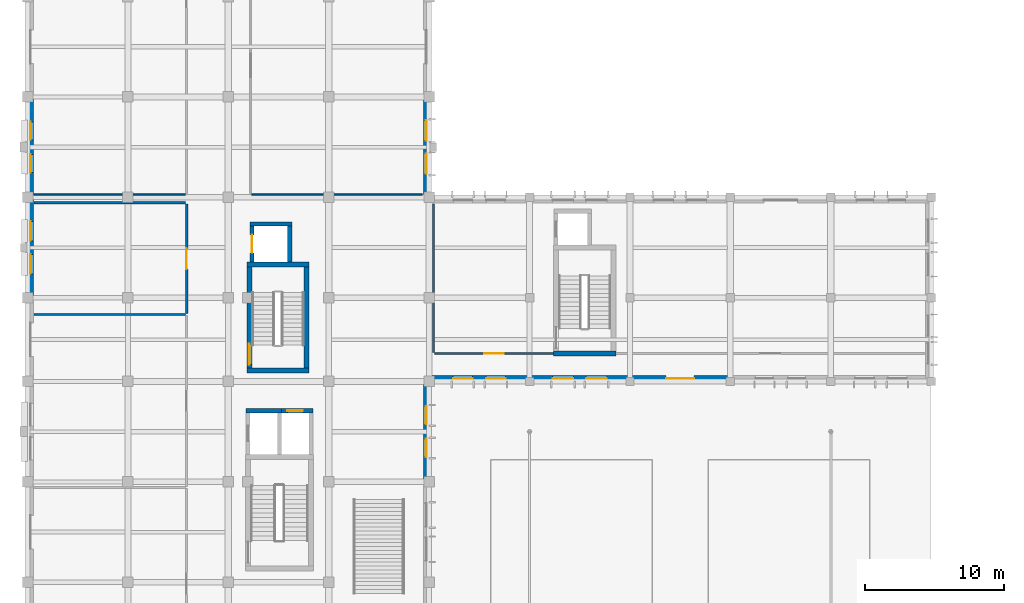
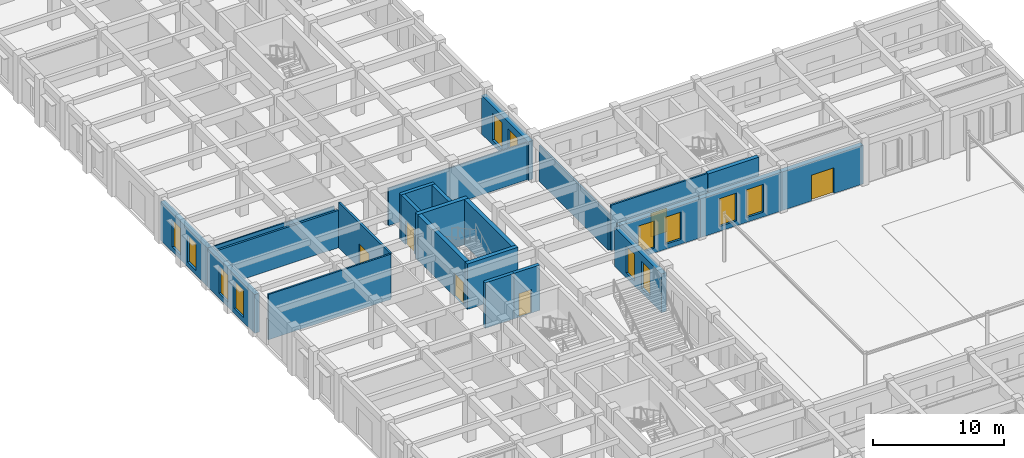
# One storey, part 24 of 43: 24 walls, 12 windows, 6 doors, 18 openings.
"""IFC4 building model written with IfcOpenShell, lengths in metres."""

from ifc_helpers import new_model, si_unit, direction, frame, frame_2d, origin, place, context, subcontext, project, spatial, rectangle, extrude, material, layer, layer_set, type_object, element, fill, save


model = new_model("IFC4")

# Units and contexts
model_context = context("Model", 3, precision=1e-05, world=origin(), true_north=direction((0.0, 1.0)))
body_context = subcontext(model_context, "Body", "Model", "MODEL_VIEW")
ifc_project = project(units=[si_unit("LENGTHUNIT", "METRE"), si_unit("AREAUNIT", "SQUARE_METRE"), si_unit("VOLUMEUNIT", "CUBIC_METRE"), si_unit("PLANEANGLEUNIT", "RADIAN"), si_unit("MASSUNIT", "GRAM", prefix="KILO")], contexts=[model_context])

# Site, building, storey
site_placement = place(None, origin())
site = spatial("IfcSite", under=ifc_project, at=site_placement, CompositionType="ELEMENT")
building_placement = place(site_placement, origin())
building = spatial("IfcBuilding", under=site, at=building_placement, Name="Alvorim Cloister Faculty of Sciences", CompositionType="ELEMENT")
storey_placement = place(building_placement, origin())
storey = spatial("IfcBuildingStorey", under=building, at=storey_placement, Name="L00", CompositionType="ELEMENT", Elevation=0.0)

# Wall, openings, windows
ifc_material_1 = material(Name="Maua Grey Granite Stone", Category="masonry")
ifc_layer_1 = layer(ifc_material_1, 0.419921875)
ifc_layer_set_1 = layer_set([ifc_layer_1], Name="Maua Grey Granite Stone")
wall_type_1 = type_object("IfcWallType", Name="WL-EXT-GRN-420", PredefinedType="SOLIDWALL", material=ifc_layer_set_1)
wall_1_placement = place(storey_placement, frame((0.2099609375, 49.199951171875, 0.0), z_axis=(0.0, 0.0, 1.0), x_axis=(0.0, 1.0, 0.0)))
wall_1 = element("IfcWall", 1, at=wall_1_placement, inside=storey, type_object=wall_type_1, Name="L00 Exterior Wall WL-0035", PredefinedType="SOLIDWALL", context=body_context, shape_type="SweptSolid", body=[
    extrude(rectangle(XDim=7.199951171875, YDim=0.419921875, at=frame_2d((3.60009765625, 0.0))), origin(), (0.0, 0.0, 1.0), 3.6201171875),
])
opening_1_placement = place(wall_1_placement, frame((1.716796875, 0.0, 0.449951171875)))
opening_1 = element("IfcOpeningElement", 2, at=opening_1_placement, cuts=wall_1, Name="Opening W-13", PredefinedType="OPENING", context=body_context, shape_type="SweptSolid", body=[
    extrude(rectangle(XDim=1.39990234375, YDim=2.550048828125, at=frame_2d((0.699951171875, 1.27490234375))), frame((0.0, 0.221923828125, 0.0), z_axis=(0.0, -1.0, 0.0), x_axis=(1.0, 0.0, 0.0)), (0.0, 0.0, 1.0), 0.44384765625),
])
opening_2_placement = place(wall_1_placement, frame((4.083251953125, 0.0, 0.449951171875)))
opening_2 = element("IfcOpeningElement", 3, at=opening_2_placement, cuts=wall_1, Name="Opening W-13", PredefinedType="OPENING", context=body_context, shape_type="SweptSolid", body=[
    extrude(rectangle(XDim=1.39990234375, YDim=2.550048828125, at=frame_2d((0.699951171875, 1.27490234375))), frame((0.0, 0.221923828125, 0.0), z_axis=(0.0, -1.0, 0.0), x_axis=(1.0, 0.0, 0.0)), (0.0, 0.0, 1.0), 0.44384765625),
])
ifc_material_2 = material(Name="Double Low-E Laminated Glass", Category="glass")
window_type_1 = type_object("IfcWindowType", Name="WN-LIB-1400x2550", PartitioningType="SINGLE_PANEL", PredefinedType="WINDOW", material=ifc_material_2)
window_1_placement = place(opening_1_placement, origin())
window_1 = element("IfcWindow", 4, at=window_1_placement, inside=storey, type_object=window_type_1, Name="L00 Gothic Lancet Window WN-0024", OverallHeight=2.550048828125, OverallWidth=1.39990234375, PartitioningType="SINGLE_PANEL", PredefinedType="WINDOW", context=body_context, shape_type="SweptSolid", body=[
    extrude(rectangle(XDim=1.39990234375, YDim=2.550048828125, at=frame_2d((0.699951171875, 1.27490234375))), frame((0.0, 0.030029296875, 0.0), z_axis=(0.0, -1.0, 0.0), x_axis=(1.0, 0.0, 0.0)), (0.0, 0.0, 1.0), 0.06005859375),
])
fill(opening_1, window_1)
window_2_placement = place(opening_2_placement, origin())
window_2 = element("IfcWindow", 5, at=window_2_placement, inside=storey, type_object=window_type_1, Name="L00 Gothic Lancet Window WN-0025", OverallHeight=2.550048828125, OverallWidth=1.39990234375, PartitioningType="SINGLE_PANEL", PredefinedType="WINDOW", context=body_context, shape_type="SweptSolid", body=[
    extrude(rectangle(XDim=1.39990234375, YDim=2.550048828125, at=frame_2d((0.699951171875, 1.27490234375))), frame((0.0, 0.030029296875, 0.0), z_axis=(0.0, -1.0, 0.0), x_axis=(1.0, 0.0, 0.0)), (0.0, 0.0, 1.0), 0.06005859375),
])
fill(opening_2, window_2)

wall_2_placement = place(storey_placement, frame((0.2099609375, 56.39990234375, 0.0), z_axis=(0.0, 0.0, 1.0), x_axis=(0.0, 1.0, 0.0)))
wall_2 = element("IfcWall", 6, at=wall_2_placement, inside=storey, type_object=wall_type_1, Name="L00 Exterior Wall WL-0036", PredefinedType="SOLIDWALL", context=body_context, shape_type="SweptSolid", body=[
    extrude(rectangle(XDim=7.2001953125, YDim=0.419921875, at=frame_2d((3.60009765625, 0.0))), origin(), (0.0, 0.0, 1.0), 3.6201171875),
])
opening_3_placement = place(wall_2_placement, frame((1.783203125, 0.0, 0.449951171875)))
opening_3 = element("IfcOpeningElement", 7, at=opening_3_placement, cuts=wall_2, Name="Opening W-14", PredefinedType="OPENING", context=body_context, shape_type="SweptSolid", body=[
    extrude(rectangle(XDim=1.300048828125, YDim=2.5, at=frame_2d((0.64990234375, 1.25))), frame((0.0, 0.221923828125, 0.0), z_axis=(0.0, -1.0, 0.0), x_axis=(1.0, 0.0, 0.0)), (0.0, 0.0, 1.0), 0.44384765625),
])
opening_4_placement = place(wall_2_placement, frame((4.11669921875, 0.0, 0.449951171875)))
opening_4 = element("IfcOpeningElement", 8, at=opening_4_placement, cuts=wall_2, Name="Opening W-14", PredefinedType="OPENING", context=body_context, shape_type="SweptSolid", body=[
    extrude(rectangle(XDim=1.300048828125, YDim=2.5, at=frame_2d((0.64990234375, 1.25))), frame((0.0, 0.221923828125, 0.0), z_axis=(0.0, -1.0, 0.0), x_axis=(1.0, 0.0, 0.0)), (0.0, 0.0, 1.0), 0.44384765625),
])
window_type_2 = type_object("IfcWindowType", Name="WN-LIB-1300x2500", PartitioningType="SINGLE_PANEL", PredefinedType="WINDOW", material=ifc_material_2)
window_3_placement = place(opening_3_placement, origin())
window_3 = element("IfcWindow", 9, at=window_3_placement, inside=storey, type_object=window_type_2, Name="L00 Gothic Lancet Window WN-0026", OverallHeight=2.5, OverallWidth=1.300048828125, PartitioningType="SINGLE_PANEL", PredefinedType="WINDOW", context=body_context, shape_type="SweptSolid", body=[
    extrude(rectangle(XDim=1.300048828125, YDim=2.5, at=frame_2d((0.64990234375, 1.25))), frame((0.0, 0.030029296875, 0.0), z_axis=(0.0, -1.0, 0.0), x_axis=(1.0, 0.0, 0.0)), (0.0, 0.0, 1.0), 0.06005859375),
])
fill(opening_3, window_3)
window_4_placement = place(opening_4_placement, origin())
window_4 = element("IfcWindow", 10, at=window_4_placement, inside=storey, type_object=window_type_2, Name="L00 Gothic Lancet Window WN-0027", OverallHeight=2.5, OverallWidth=1.300048828125, PartitioningType="SINGLE_PANEL", PredefinedType="WINDOW", context=body_context, shape_type="SweptSolid", body=[
    extrude(rectangle(XDim=1.300048828125, YDim=2.5, at=frame_2d((0.64990234375, 1.25))), frame((0.0, 0.030029296875, 0.0), z_axis=(0.0, -1.0, 0.0), x_axis=(1.0, 0.0, 0.0)), (0.0, 0.0, 1.0), 0.06005859375),
])
fill(opening_4, window_4)

wall_3_placement = place(storey_placement, frame((28.590087890625, 56.39990234375, 0.0), z_axis=(0.0, 0.0, 1.0), x_axis=(0.0, 1.0, 0.0)))
wall_3 = element("IfcWall", 11, at=wall_3_placement, inside=storey, type_object=wall_type_1, Name="L00 Exterior Wall WL-0055", PredefinedType="SOLIDWALL", context=body_context, shape_type="SweptSolid", body=[
    extrude(rectangle(XDim=7.2001953125, YDim=0.419921875, at=frame_2d((3.60009765625, 0.0))), origin(), (0.0, 0.0, 1.0), 3.6201171875),
])
opening_5_placement = place(wall_3_placement, frame((1.683349609375, 0.0, 0.449951171875)))
opening_5 = element("IfcOpeningElement", 12, at=opening_5_placement, cuts=wall_3, Name="Opening W-17", PredefinedType="OPENING", context=body_context, shape_type="SweptSolid", body=[
    extrude(rectangle(XDim=1.449951171875, YDim=2.5, at=frame_2d((0.72509765625, 1.25))), frame((0.0, 0.221923828125, 0.0), z_axis=(0.0, -1.0, 0.0), x_axis=(1.0, 0.0, 0.0)), (0.0, 0.0, 1.0), 0.44384765625),
])
opening_6_placement = place(wall_3_placement, frame((4.066650390625, 0.0, 0.449951171875)))
opening_6 = element("IfcOpeningElement", 13, at=opening_6_placement, cuts=wall_3, Name="Opening W-17", PredefinedType="OPENING", context=body_context, shape_type="SweptSolid", body=[
    extrude(rectangle(XDim=1.449951171875, YDim=2.5, at=frame_2d((0.72509765625, 1.25))), frame((0.0, 0.221923828125, 0.0), z_axis=(0.0, -1.0, 0.0), x_axis=(1.0, 0.0, 0.0)), (0.0, 0.0, 1.0), 0.44384765625),
])
window_type_3 = type_object("IfcWindowType", Name="WN-LAB-1450x2500", PartitioningType="SINGLE_PANEL", PredefinedType="WINDOW", material=ifc_material_2)
window_5_placement = place(opening_5_placement, origin())
window_5 = element("IfcWindow", 14, at=window_5_placement, inside=storey, type_object=window_type_3, Name="L00 Gothic Lancet Window WN-0055", OverallHeight=2.5, OverallWidth=1.449951171875, PartitioningType="SINGLE_PANEL", PredefinedType="WINDOW", context=body_context, shape_type="SweptSolid", body=[
    extrude(rectangle(XDim=1.449951171875, YDim=2.5, at=frame_2d((0.72509765625, 1.25))), frame((0.0, 0.030029296875, 0.0), z_axis=(0.0, -1.0, 0.0), x_axis=(1.0, 0.0, 0.0)), (0.0, 0.0, 1.0), 0.06005859375),
])
fill(opening_5, window_5)
window_6_placement = place(opening_6_placement, origin())
window_6 = element("IfcWindow", 15, at=window_6_placement, inside=storey, type_object=window_type_3, Name="L00 Gothic Lancet Window WN-0056", OverallHeight=2.5, OverallWidth=1.449951171875, PartitioningType="SINGLE_PANEL", PredefinedType="WINDOW", context=body_context, shape_type="SweptSolid", body=[
    extrude(rectangle(XDim=1.449951171875, YDim=2.5, at=frame_2d((0.72509765625, 1.25))), frame((0.0, 0.030029296875, 0.0), z_axis=(0.0, -1.0, 0.0), x_axis=(1.0, 0.0, 0.0)), (0.0, 0.0, 1.0), 0.06005859375),
])
fill(opening_6, window_6)

# Wall, opening, door
wall_4_placement = place(storey_placement, frame((43.199951171875, 43.409912109375, 0.0), z_axis=(0.0, 0.0, 1.0), x_axis=(1.0, 0.0, 0.0)))
wall_4 = element("IfcWall", 16, at=wall_4_placement, inside=storey, type_object=wall_type_1, Name="L00 Exterior Wall WL-0065", PredefinedType="SOLIDWALL", context=body_context, shape_type="SweptSolid", body=[
    extrude(rectangle(XDim=7.199951171875, YDim=0.419921875, at=frame_2d((3.60009765625, 0.0))), origin(), (0.0, 0.0, 1.0), 3.6201171875),
])
opening_7_placement = place(wall_4_placement, frame((2.60009765625, 0.0, 0.0)))
opening_7 = element("IfcOpeningElement", 17, at=opening_7_placement, cuts=wall_4, Name="Opening ED-09", PredefinedType="OPENING", context=body_context, shape_type="SweptSolid", body=[
    extrude(rectangle(XDim=2.0, YDim=2.39990234375, at=frame_2d((1.0, 1.199951171875))), frame((0.0, 0.221923828125, 0.0), z_axis=(0.0, -1.0, 0.0), x_axis=(1.0, 0.0, 0.0)), (0.0, 0.0, 1.0), 0.44384765625),
])
ifc_material_3 = material(Name="Aluminium Alloy 6063-T6", Category="aluminium")
door_type_1 = type_object("IfcDoorType", Name="DR-EXIT-2000x2400", OperationType="NOTDEFINED", PredefinedType="DOOR", material=ifc_material_3)
door_1_placement = place(opening_7_placement, origin())
door_1 = element("IfcDoor", 18, at=door_1_placement, inside=storey, type_object=door_type_1, Name="Cloister Quadrangle North Lab Portal ED-09", OperationType="DOUBLE_DOOR_SINGLE_SWING", OverallHeight=2.39990234375, OverallWidth=2.0, PredefinedType="DOOR", context=body_context, shape_type="SweptSolid", body=[
    extrude(rectangle(XDim=2.0, YDim=2.39990234375, at=frame_2d((1.0, 1.199951171875))), frame((0.0, 0.02490234375, 0.0), z_axis=(0.0, -1.0, 0.0), x_axis=(1.0, 0.0, 0.0)), (0.0, 0.0, 1.0), 0.050048828125),
])
fill(opening_7, door_1)

# Wall, openings, windows
wall_5_placement = place(storey_placement, frame((36.0, 43.409912109375, 0.0), z_axis=(0.0, 0.0, 1.0), x_axis=(1.0, 0.0, 0.0)))
wall_5 = element("IfcWall", 19, at=wall_5_placement, inside=storey, type_object=wall_type_1, Name="L00 Exterior Wall WL-0066", PredefinedType="SOLIDWALL", context=body_context, shape_type="SweptSolid", body=[
    extrude(rectangle(XDim=7.199951171875, YDim=0.419921875, at=frame_2d((3.60009765625, 0.0))), origin(), (0.0, 0.0, 1.0), 3.6201171875),
])
opening_8_placement = place(wall_5_placement, frame((1.64990234375, 0.0, 0.449951171875)))
opening_8 = element("IfcOpeningElement", 20, at=opening_8_placement, cuts=wall_5, Name="Opening W-12", PredefinedType="OPENING", context=body_context, shape_type="SweptSolid", body=[
    extrude(rectangle(XDim=1.5, YDim=2.60009765625, at=frame_2d((0.75, 1.300048828125))), frame((0.0, 0.221923828125, 0.0), z_axis=(0.0, -1.0, 0.0), x_axis=(1.0, 0.0, 0.0)), (0.0, 0.0, 1.0), 0.44384765625),
])
opening_9_placement = place(wall_5_placement, frame((4.050048828125, 0.0, 0.449951171875)))
opening_9 = element("IfcOpeningElement", 21, at=opening_9_placement, cuts=wall_5, Name="Opening W-12", PredefinedType="OPENING", context=body_context, shape_type="SweptSolid", body=[
    extrude(rectangle(XDim=1.5, YDim=2.60009765625, at=frame_2d((0.75, 1.300048828125))), frame((0.0, 0.221923828125, 0.0), z_axis=(0.0, -1.0, 0.0), x_axis=(1.0, 0.0, 0.0)), (0.0, 0.0, 1.0), 0.44384765625),
])
window_type_4 = type_object("IfcWindowType", Name="WN-LIB-1500x2600", PartitioningType="SINGLE_PANEL", PredefinedType="WINDOW", material=ifc_material_2)
window_7_placement = place(opening_8_placement, origin())
window_7 = element("IfcWindow", 22, at=window_7_placement, inside=storey, type_object=window_type_4, Name="L00 Gothic Lancet Window WN-0073", OverallHeight=2.60009765625, OverallWidth=1.5, PartitioningType="SINGLE_PANEL", PredefinedType="WINDOW", context=body_context, shape_type="SweptSolid", body=[
    extrude(rectangle(XDim=1.5, YDim=2.60009765625, at=frame_2d((0.75, 1.300048828125))), frame((0.0, 0.030029296875, 0.0), z_axis=(0.0, -1.0, 0.0), x_axis=(1.0, 0.0, 0.0)), (0.0, 0.0, 1.0), 0.06005859375),
])
fill(opening_8, window_7)
window_8_placement = place(opening_9_placement, origin())
window_8 = element("IfcWindow", 23, at=window_8_placement, inside=storey, type_object=window_type_4, Name="L00 Gothic Lancet Window WN-0074", OverallHeight=2.60009765625, OverallWidth=1.5, PartitioningType="SINGLE_PANEL", PredefinedType="WINDOW", context=body_context, shape_type="SweptSolid", body=[
    extrude(rectangle(XDim=1.5, YDim=2.60009765625, at=frame_2d((0.75, 1.300048828125))), frame((0.0, 0.030029296875, 0.0), z_axis=(0.0, -1.0, 0.0), x_axis=(1.0, 0.0, 0.0)), (0.0, 0.0, 1.0), 0.06005859375),
])
fill(opening_9, window_8)

wall_6_placement = place(storey_placement, frame((28.800048828125, 43.409912109375, 0.0), z_axis=(0.0, 0.0, 1.0), x_axis=(1.0, 0.0, 0.0)))
wall_6 = element("IfcWall", 24, at=wall_6_placement, inside=storey, type_object=wall_type_1, Name="L00 Exterior Wall WL-0067", PredefinedType="SOLIDWALL", context=body_context, shape_type="SweptSolid", body=[
    extrude(rectangle(XDim=7.199951171875, YDim=0.419921875, at=frame_2d((3.60009765625, 0.0))), origin(), (0.0, 0.0, 1.0), 3.6201171875),
])
opening_10_placement = place(wall_6_placement, frame((1.716796875, 0.0, 0.449951171875)))
opening_10 = element("IfcOpeningElement", 25, at=opening_10_placement, cuts=wall_6, Name="Opening W-13", PredefinedType="OPENING", context=body_context, shape_type="SweptSolid", body=[
    extrude(rectangle(XDim=1.39990234375, YDim=2.550048828125, at=frame_2d((0.699951171875, 1.27490234375))), frame((0.0, 0.221923828125, 0.0), z_axis=(0.0, -1.0, 0.0), x_axis=(1.0, 0.0, 0.0)), (0.0, 0.0, 1.0), 0.44384765625),
])
opening_11_placement = place(wall_6_placement, frame((4.083251953125, 0.0, 0.449951171875)))
opening_11 = element("IfcOpeningElement", 26, at=opening_11_placement, cuts=wall_6, Name="Opening W-13", PredefinedType="OPENING", context=body_context, shape_type="SweptSolid", body=[
    extrude(rectangle(XDim=1.39990234375, YDim=2.550048828125, at=frame_2d((0.699951171875, 1.27490234375))), frame((0.0, 0.221923828125, 0.0), z_axis=(0.0, -1.0, 0.0), x_axis=(1.0, 0.0, 0.0)), (0.0, 0.0, 1.0), 0.44384765625),
])
window_9_placement = place(opening_10_placement, origin())
window_9 = element("IfcWindow", 27, at=window_9_placement, inside=storey, type_object=window_type_1, Name="L00 Gothic Lancet Window WN-0075", OverallHeight=2.550048828125, OverallWidth=1.39990234375, PartitioningType="SINGLE_PANEL", PredefinedType="WINDOW", context=body_context, shape_type="SweptSolid", body=[
    extrude(rectangle(XDim=1.39990234375, YDim=2.550048828125, at=frame_2d((0.699951171875, 1.27490234375))), frame((0.0, 0.030029296875, 0.0), z_axis=(0.0, -1.0, 0.0), x_axis=(1.0, 0.0, 0.0)), (0.0, 0.0, 1.0), 0.06005859375),
])
fill(opening_10, window_9)
window_10_placement = place(opening_11_placement, origin())
window_10 = element("IfcWindow", 28, at=window_10_placement, inside=storey, type_object=window_type_1, Name="L00 Gothic Lancet Window WN-0076", OverallHeight=2.550048828125, OverallWidth=1.39990234375, PartitioningType="SINGLE_PANEL", PredefinedType="WINDOW", context=body_context, shape_type="SweptSolid", body=[
    extrude(rectangle(XDim=1.39990234375, YDim=2.550048828125, at=frame_2d((0.699951171875, 1.27490234375))), frame((0.0, 0.030029296875, 0.0), z_axis=(0.0, -1.0, 0.0), x_axis=(1.0, 0.0, 0.0)), (0.0, 0.0, 1.0), 0.06005859375),
])
fill(opening_11, window_10)

wall_7_placement = place(storey_placement, frame((28.590087890625, 36.0, 0.0), z_axis=(0.0, 0.0, 1.0), x_axis=(0.0, 1.0, 0.0)))
wall_7 = element("IfcWall", 29, at=wall_7_placement, inside=storey, type_object=wall_type_1, Name="L00 Exterior Wall WL-0068", PredefinedType="SOLIDWALL", context=body_context, shape_type="SweptSolid", body=[
    extrude(rectangle(XDim=7.199951171875, YDim=0.419921875, at=frame_2d((3.60009765625, 0.0))), origin(), (0.0, 0.0, 1.0), 3.6201171875),
])
opening_12_placement = place(wall_7_placement, frame((1.783203125, 0.0, 0.449951171875)))
opening_12 = element("IfcOpeningElement", 30, at=opening_12_placement, cuts=wall_7, Name="Opening W-14", PredefinedType="OPENING", context=body_context, shape_type="SweptSolid", body=[
    extrude(rectangle(XDim=1.300048828125, YDim=2.5, at=frame_2d((0.64990234375, 1.25))), frame((0.0, 0.221923828125, 0.0), z_axis=(0.0, -1.0, 0.0), x_axis=(1.0, 0.0, 0.0)), (0.0, 0.0, 1.0), 0.44384765625),
])
opening_13_placement = place(wall_7_placement, frame((4.11669921875, 0.0, 0.449951171875)))
opening_13 = element("IfcOpeningElement", 31, at=opening_13_placement, cuts=wall_7, Name="Opening W-14", PredefinedType="OPENING", context=body_context, shape_type="SweptSolid", body=[
    extrude(rectangle(XDim=1.300048828125, YDim=2.5, at=frame_2d((0.64990234375, 1.25))), frame((0.0, 0.221923828125, 0.0), z_axis=(0.0, -1.0, 0.0), x_axis=(1.0, 0.0, 0.0)), (0.0, 0.0, 1.0), 0.44384765625),
])
window_11_placement = place(opening_12_placement, origin())
window_11 = element("IfcWindow", 32, at=window_11_placement, inside=storey, type_object=window_type_2, Name="L00 Gothic Lancet Window WN-0077", OverallHeight=2.5, OverallWidth=1.300048828125, PartitioningType="SINGLE_PANEL", PredefinedType="WINDOW", context=body_context, shape_type="SweptSolid", body=[
    extrude(rectangle(XDim=1.300048828125, YDim=2.5, at=frame_2d((0.64990234375, 1.25))), frame((0.0, 0.030029296875, 0.0), z_axis=(0.0, -1.0, 0.0), x_axis=(1.0, 0.0, 0.0)), (0.0, 0.0, 1.0), 0.06005859375),
])
fill(opening_12, window_11)
window_12_placement = place(opening_13_placement, origin())
window_12 = element("IfcWindow", 33, at=window_12_placement, inside=storey, type_object=window_type_2, Name="L00 Gothic Lancet Window WN-0078", OverallHeight=2.5, OverallWidth=1.300048828125, PartitioningType="SINGLE_PANEL", PredefinedType="WINDOW", context=body_context, shape_type="SweptSolid", body=[
    extrude(rectangle(XDim=1.300048828125, YDim=2.5, at=frame_2d((0.64990234375, 1.25))), frame((0.0, 0.030029296875, 0.0), z_axis=(0.0, -1.0, 0.0), x_axis=(1.0, 0.0, 0.0)), (0.0, 0.0, 1.0), 0.06005859375),
])
fill(opening_13, window_12)

# Walls
ifc_material_4 = material(Name="Acoustic Gypsum Stud Partition", Category="gypsum")
ifc_layer_2 = layer(ifc_material_4, 0.1201171875)
ifc_layer_set_2 = layer_set([ifc_layer_2], Name="Acoustic Gypsum Stud Partition")
wall_type_2 = type_object("IfcWallType", Name="WL-PRT-120", PredefinedType="PARTITIONING", material=ifc_layer_set_2)
wall_8_placement = place(storey_placement, frame((0.47998046875, 56.60009765625, 0.0), z_axis=(0.0, 0.0, 1.0), x_axis=(1.0, 0.0, 0.0)))
element("IfcWall", 34, at=wall_8_placement, inside=storey, type_object=wall_type_2, Name="L00 24-Hour Learning Commons Ground Reading Hall Partition IWL-0477", PredefinedType="PARTITIONING", context=body_context, shape_type="SweptSolid", body=[
    extrude(rectangle(XDim=10.840087890625, YDim=0.1201171875, at=frame_2d((5.419921875, 0.0))), origin(), (0.0, 0.0, 1.0), 3.485107421875),
])
wall_9_placement = place(storey_placement, frame((16.080078125, 56.60009765625, 0.0), z_axis=(0.0, 0.0, 1.0), x_axis=(1.0, 0.0, 0.0)))
element("IfcWall", 35, at=wall_9_placement, inside=storey, type_object=wall_type_2, Name="L00 Circulation Desk and Reserve Collection Partition IWL-0482", PredefinedType="PARTITIONING", context=body_context, shape_type="SweptSolid", body=[
    extrude(rectangle(XDim=12.239990234375, YDim=0.1201171875, at=frame_2d((6.1201171875, 0.0))), origin(), (0.0, 0.0, 1.0), 3.485107421875),
])
ifc_material_5 = material(Name="Gypsum Fireboard Stud Partition", Category="gypsum")
ifc_layer_3 = layer(ifc_material_5, 0.14990234375)
ifc_layer_set_3 = layer_set([ifc_layer_3], Name="Gypsum Fireboard Stud Partition")
wall_type_3 = type_object("IfcWallType", Name="WL-PRT-150", PredefinedType="PARTITIONING", material=ifc_layer_set_3)
wall_10_placement = place(storey_placement, frame((0.47998046875, 48.0, 0.0), z_axis=(0.0, 0.0, 1.0), x_axis=(1.0, 0.0, 0.0)))
element("IfcWall", 36, at=wall_10_placement, inside=storey, type_object=wall_type_3, Name="L00 Shared Optical Microscopy Facility Partition IWL-0463", PredefinedType="PARTITIONING", context=body_context, shape_type="SweptSolid", body=[
    extrude(rectangle(XDim=10.840087890625, YDim=0.14990234375, at=frame_2d((5.419921875, 0.0))), origin(), (0.0, 0.0, 1.0), 4.235107421875),
])
wall_11_placement = place(storey_placement, frame((29.10009765625, 45.280029296875, 0.0), z_axis=(0.0, 0.0, 1.0), x_axis=(0.0, 1.0, 0.0)))
element("IfcWall", 37, at=wall_11_placement, inside=storey, type_object=wall_type_3, Name="L00 Physics Mechanics Teaching Laboratory Partition IWL-0474", PredefinedType="PARTITIONING", context=body_context, shape_type="SweptSolid", body=[
    extrude(rectangle(XDim=10.639892578125, YDim=0.14990234375, at=frame_2d((5.31982421875, 0.0))), origin(), (0.0, 0.0, 1.0), 3.385009765625),
])

# Wall, opening, door
wall_12_placement = place(storey_placement, frame((29.179931640625, 45.199951171875, 0.0), z_axis=(0.0, 0.0, 1.0), x_axis=(1.0, 0.0, 0.0)))
wall_12 = element("IfcWall", 38, at=wall_12_placement, inside=storey, type_object=wall_type_3, Name="L00 Physics Mechanics Teaching Laboratory Partition IWL-0475", PredefinedType="PARTITIONING", context=body_context, shape_type="SweptSolid", body=[
    extrude(rectangle(XDim=8.5400390625, YDim=0.14990234375, at=frame_2d((4.27001953125, 0.0))), origin(), (0.0, 0.0, 1.0), 4.235107421875),
])
opening_14_placement = place(wall_12_placement, frame((3.56005859375, 0.0, 0.0)))
opening_14 = element("IfcOpeningElement", 39, at=opening_14_placement, cuts=wall_12, Name="Opening D-L00-089", PredefinedType="OPENING", context=body_context, shape_type="SweptSolid", body=[
    extrude(rectangle(XDim=1.419921875, YDim=2.219970703125, at=frame_2d((0.7099609375, 1.10986328125))), frame((0.0, 0.0869140625, 0.0), z_axis=(0.0, -1.0, 0.0), x_axis=(1.0, 0.0, 0.0)), (0.0, 0.0, 1.0), 0.173828125),
])
ifc_material_6 = material(Name="Fire-Rated Laminate Timber", Category="wood")
door_type_2 = type_object("IfcDoorType", Name="DR-LAB-1420x2220", OperationType="NOTDEFINED", PredefinedType="DOOR", material=ifc_material_6)
door_2_placement = place(opening_14_placement, origin())
door_2 = element("IfcDoor", 40, at=door_2_placement, inside=storey, type_object=door_type_2, Name="Physics Mechanics Teaching Laboratory Door D-L00-089", OperationType="SINGLE_SWING_LEFT", OverallHeight=2.219970703125, OverallWidth=1.419921875, PredefinedType="DOOR", context=body_context, shape_type="SweptSolid", body=[
    extrude(rectangle(XDim=1.419921875, YDim=2.219970703125, at=frame_2d((0.7099609375, 1.10986328125))), frame((0.0, 0.02490234375, 0.0), z_axis=(0.0, -1.0, 0.0), x_axis=(1.0, 0.0, 0.0)), (0.0, 0.0, 1.0), 0.050048828125),
])
fill(opening_14, door_2)

ifc_layer_4 = layer(ifc_material_5, 0.179931640625)
ifc_layer_set_4 = layer_set([ifc_layer_4], Name="Gypsum Fireboard Stud Partition")
wall_type_4 = type_object("IfcWallType", Name="WL-PRT-180", PredefinedType="PARTITIONING", material=ifc_layer_set_4)
wall_13_placement = place(storey_placement, frame((11.39990234375, 48.080078125, 0.0), z_axis=(0.0, 0.0, 1.0), x_axis=(0.0, 1.0, 0.0)))
wall_13 = element("IfcWall", 41, at=wall_13_placement, inside=storey, type_object=wall_type_4, Name="L00 Specimen Cold Storage Room Partition IWL-0464", PredefinedType="PARTITIONING", context=body_context, shape_type="SweptSolid", body=[
    extrude(rectangle(XDim=7.83984375, YDim=0.179931640625, at=frame_2d((3.919921875, 0.0))), origin(), (0.0, 0.0, 1.0), 4.235107421875),
])
opening_15_placement = place(wall_13_placement, frame((3.169921875, 0.0, 0.0)))
opening_15 = element("IfcOpeningElement", 42, at=opening_15_placement, cuts=wall_13, Name="Opening D-L00-083", PredefinedType="OPENING", context=body_context, shape_type="SweptSolid", body=[
    extrude(rectangle(XDim=1.5, YDim=2.25, at=frame_2d((0.75, 1.125))), frame((0.0, 0.10205078125, 0.0), z_axis=(0.0, -1.0, 0.0), x_axis=(1.0, 0.0, 0.0)), (0.0, 0.0, 1.0), 0.203857421875),
])
ifc_material_7 = material(Name="Galvanised Fire-Rated Steel", Category="steel")
door_type_3 = type_object("IfcDoorType", Name="DR-PLN-1500x2250", OperationType="NOTDEFINED", PredefinedType="DOOR", material=ifc_material_7)
door_3_placement = place(opening_15_placement, origin())
door_3 = element("IfcDoor", 43, at=door_3_placement, inside=storey, type_object=door_type_3, Name="Specimen Cold Storage Room Door D-L00-083", OperationType="DOUBLE_DOOR_SINGLE_SWING", OverallHeight=2.25, OverallWidth=1.5, PredefinedType="DOOR", context=body_context, shape_type="SweptSolid", body=[
    extrude(rectangle(XDim=1.5, YDim=2.25, at=frame_2d((0.75, 1.125))), frame((0.0, 0.02490234375, 0.0), z_axis=(0.0, -1.0, 0.0), x_axis=(1.0, 0.0, 0.0)), (0.0, 0.0, 1.0), 0.050048828125),
])
fill(opening_15, door_3)

# Walls
wall_14_placement = place(storey_placement, frame((0.47998046875, 56.0, 0.0), z_axis=(0.0, 0.0, 1.0), x_axis=(1.0, 0.0, 0.0)))
element("IfcWall", 44, at=wall_14_placement, inside=storey, type_object=wall_type_4, Name="L00 Specimen Cold Storage Room Partition IWL-0465", PredefinedType="PARTITIONING", context=body_context, shape_type="SweptSolid", body=[
    extrude(rectangle(XDim=10.840087890625, YDim=0.179931640625, at=frame_2d((5.419921875, 0.0))), origin(), (0.0, 0.0, 1.0), 3.485107421875),
])
ifc_material_8 = material(Name="Concrete C40", Category="concrete")
ifc_layer_5 = layer(ifc_material_8, 0.300048828125)
ifc_layer_set_5 = layer_set([ifc_layer_5], Name="Concrete C40")
wall_type_5 = type_object("IfcWallType", Name="WL-SHR-300", PredefinedType="SHEAR", material=ifc_layer_set_5)
wall_15_placement = place(storey_placement, frame((15.64990234375, 41.10009765625, 0.0), z_axis=(0.0, 0.0, 1.0), x_axis=(1.0, 0.0, 0.0)))
element("IfcWall", 45, at=wall_15_placement, inside=storey, type_object=wall_type_5, Name="L00 Lift LP-02 Shaft Wall IWL-0291", PredefinedType="SHEAR", context=body_context, shape_type="SweptSolid", body=[
    extrude(rectangle(XDim=2.56005859375, YDim=0.300048828125, at=frame_2d((1.280029296875, 0.0))), origin(), (0.0, 0.0, 1.0), 4.25),
])

# Wall, opening, door
wall_16_placement = place(storey_placement, frame((17.909912109375, 41.10009765625, 0.0), z_axis=(0.0, 0.0, 1.0), x_axis=(1.0, 0.0, 0.0)))
wall_16 = element("IfcWall", 46, at=wall_16_placement, inside=storey, type_object=wall_type_5, Name="L00 Lift LP-03 Shaft Wall IWL-0320", PredefinedType="SHEAR", context=body_context, shape_type="SweptSolid", body=[
    extrude(rectangle(XDim=2.56005859375, YDim=0.300048828125, at=frame_2d((1.280029296875, 0.0))), origin(), (0.0, 0.0, 1.0), 4.25),
])
opening_16_placement = place(wall_16_placement, frame((0.72998046875, 0.0, 0.0)))
opening_16 = element("IfcOpeningElement", 47, at=opening_16_placement, cuts=wall_16, Name="Opening LD-034", PredefinedType="OPENING", context=body_context, shape_type="SweptSolid", body=[
    extrude(rectangle(XDim=1.10009765625, YDim=2.199951171875, at=frame_2d((0.550048828125, 1.10009765625))), frame((0.0, 0.162109375, 0.0), z_axis=(0.0, -1.0, 0.0), x_axis=(1.0, 0.0, 0.0)), (0.0, 0.0, 1.0), 0.323974609375),
])
ifc_material_9 = material(Name="Brushed Stainless Steel", Category="steel")
door_type_4 = type_object("IfcDoorType", Name="DR-LFT-1100x2200", OperationType="NOTDEFINED", PredefinedType="DOOR", material=ifc_material_9)
door_4_placement = place(opening_16_placement, origin())
door_4 = element("IfcDoor", 48, at=door_4_placement, inside=storey, type_object=door_type_4, Name="L00 Lift LP-03 Sliding Landing Door LD-034", OperationType="DOUBLE_DOOR_SLIDING", OverallHeight=2.199951171875, OverallWidth=1.10009765625, PredefinedType="DOOR", context=body_context, shape_type="SweptSolid", body=[
    extrude(rectangle(XDim=1.10009765625, YDim=2.199951171875, at=frame_2d((0.550048828125, 1.10009765625))), frame((0.0, 0.02490234375, 0.0), z_axis=(0.0, -1.0, 0.0), x_axis=(1.0, 0.0, 0.0)), (0.0, 0.0, 1.0), 0.050048828125),
])
fill(opening_16, door_4)

# Wall
wall_17_placement = place(storey_placement, frame((15.949951171875, 54.5, 0.0), z_axis=(0.0, 0.0, 1.0), x_axis=(1.0, 0.0, 0.0)))
element("IfcWall", 49, at=wall_17_placement, inside=storey, type_object=wall_type_5, Name="L00 Lift LG-01 Shaft Wall IWL-0383", PredefinedType="SHEAR", context=body_context, shape_type="SweptSolid", body=[
    extrude(rectangle(XDim=3.0, YDim=0.300048828125, at=frame_2d((1.5, 0.0))), origin(), (0.0, 0.0, 1.0), 4.25),
])

# Wall, opening, door
wall_18_placement = place(storey_placement, frame((16.10009765625, 51.780029296875, 0.0), z_axis=(0.0, 0.0, 1.0), x_axis=(0.0, 1.0, 0.0)))
wall_18 = element("IfcWall", 50, at=wall_18_placement, inside=storey, type_object=wall_type_5, Name="L00 Lift LG-01 Shaft Wall IWL-0384", PredefinedType="SHEAR", context=body_context, shape_type="SweptSolid", body=[
    extrude(rectangle(XDim=2.570068359375, YDim=0.300048828125, at=frame_2d((1.28515625, 0.0))), origin(), (0.0, 0.0, 1.0), 4.25),
])
opening_17_placement = place(wall_18_placement, frame((0.635009765625, 0.0, 0.0)))
opening_17 = element("IfcOpeningElement", 51, at=opening_17_placement, cuts=wall_18, Name="Opening LD-058", PredefinedType="OPENING", context=body_context, shape_type="SweptSolid", body=[
    extrude(rectangle(XDim=1.300048828125, YDim=2.25, at=frame_2d((0.64990234375, 1.125))), frame((0.0, 0.162109375, 0.0), z_axis=(0.0, -1.0, 0.0), x_axis=(1.0, 0.0, 0.0)), (0.0, 0.0, 1.0), 0.323974609375),
])
door_type_5 = type_object("IfcDoorType", Name="DR-LFT-1300x2250", OperationType="NOTDEFINED", PredefinedType="DOOR", material=ifc_material_9)
door_5_placement = place(opening_17_placement, origin())
door_5 = element("IfcDoor", 52, at=door_5_placement, inside=storey, type_object=door_type_5, Name="L00 Lift LG-01 Sliding Landing Door LD-058", OperationType="DOUBLE_DOOR_SLIDING", OverallHeight=2.25, OverallWidth=1.300048828125, PredefinedType="DOOR", context=body_context, shape_type="SweptSolid", body=[
    extrude(rectangle(XDim=1.300048828125, YDim=2.25, at=frame_2d((0.64990234375, 1.125))), frame((0.0, 0.02490234375, 0.0), z_axis=(0.0, -1.0, 0.0), x_axis=(1.0, 0.0, 0.0)), (0.0, 0.0, 1.0), 0.050048828125),
])
fill(opening_17, door_5)

# Walls
wall_19_placement = place(storey_placement, frame((18.800048828125, 51.780029296875, 0.0), z_axis=(0.0, 0.0, 1.0), x_axis=(0.0, 1.0, 0.0)))
element("IfcWall", 53, at=wall_19_placement, inside=storey, type_object=wall_type_5, Name="L00 Lift LG-01 Shaft Wall IWL-0385", PredefinedType="SHEAR", context=body_context, shape_type="SweptSolid", body=[
    extrude(rectangle(XDim=2.570068359375, YDim=0.300048828125, at=frame_2d((1.28515625, 0.0))), origin(), (0.0, 0.0, 1.0), 4.25),
])
ifc_layer_6 = layer(ifc_material_8, 0.360107421875)
ifc_layer_set_6 = layer_set([ifc_layer_6], Name="Concrete C40")
wall_type_6 = type_object("IfcWallType", Name="WL-SHR-360", PredefinedType="SHEAR", material=ifc_layer_set_6)
for number, where, z_axis, x_axis, name in (
    (54, (15.719970703125, 44.0, 0.0), (0.0, 0.0, 1.0), (1.0, 0.0, 0.0), "L00 CORE K3 Shear Wall IWL-0093"),
    (55, (15.719970703125, 51.60009765625, 0.0), (0.0, 0.0, 1.0), (1.0, 0.0, 0.0), "L00 CORE K3 Shear Wall IWL-0094"),
):
    element("IfcWall", number, at=place(storey_placement, frame(where, z_axis=z_axis, x_axis=x_axis)), inside=storey, type_object=wall_type_6, Name=name, PredefinedType="SHEAR", context=body_context, shape_type="SweptSolid", body=[
        extrude(rectangle(XDim=4.47998046875, YDim=0.360107421875, at=frame_2d((2.239990234375, 0.0))), origin(), (0.0, 0.0, 1.0), 4.25),
    ])

# Wall, opening, door
wall_20_placement = place(storey_placement, frame((15.89990234375, 44.179931640625, 0.0), z_axis=(0.0, 0.0, 1.0), x_axis=(0.0, 1.0, 0.0)))
wall_20 = element("IfcWall", 56, at=wall_20_placement, inside=storey, type_object=wall_type_6, Name="L00 CORE K3 Shear Wall IWL-0095", PredefinedType="SHEAR", context=body_context, shape_type="SweptSolid", body=[
    extrude(rectangle(XDim=7.239990234375, YDim=0.360107421875, at=frame_2d((3.6201171875, 0.0))), origin(), (0.0, 0.0, 1.0), 4.25),
])
opening_18_placement = place(wall_20_placement, frame((0.219970703125, 0.0, 0.0)))
opening_18 = element("IfcOpeningElement", 57, at=opening_18_placement, cuts=wall_20, Name="Opening SD-K3-L00", PredefinedType="OPENING", context=body_context, shape_type="SweptSolid", body=[
    extrude(rectangle(XDim=1.5, YDim=2.199951171875, at=frame_2d((0.75, 1.10009765625))), frame((0.0, 0.19189453125, 0.0), z_axis=(0.0, -1.0, 0.0), x_axis=(1.0, 0.0, 0.0)), (0.0, 0.0, 1.0), 0.384033203125),
])
door_type_6 = type_object("IfcDoorType", Name="DR-STR-1500x2200", OperationType="NOTDEFINED", PredefinedType="DOOR", material=ifc_material_7)
door_6_placement = place(opening_18_placement, origin())
door_6 = element("IfcDoor", 58, at=door_6_placement, inside=storey, type_object=door_type_6, Name="L00 Stair ST-03 Fire Door SD-K3-L00", OperationType="DOUBLE_DOOR_SINGLE_SWING", OverallHeight=2.199951171875, OverallWidth=1.5, PredefinedType="DOOR", context=body_context, shape_type="SweptSolid", body=[
    extrude(rectangle(XDim=1.5, YDim=2.199951171875, at=frame_2d((0.75, 1.10009765625))), frame((0.0, 0.02490234375, 0.0), z_axis=(0.0, -1.0, 0.0), x_axis=(1.0, 0.0, 0.0)), (0.0, 0.0, 1.0), 0.050048828125),
])
fill(opening_18, door_6)

# Walls
wall_21_placement = place(storey_placement, frame((20.02001953125, 44.179931640625, 0.0), z_axis=(0.0, 0.0, 1.0), x_axis=(0.0, 1.0, 0.0)))
element("IfcWall", 59, at=wall_21_placement, inside=storey, type_object=wall_type_6, Name="L00 CORE K3 Shear Wall IWL-0096", PredefinedType="SHEAR", context=body_context, shape_type="SweptSolid", body=[
    extrude(rectangle(XDim=7.239990234375, YDim=0.360107421875, at=frame_2d((3.6201171875, 0.0))), origin(), (0.0, 0.0, 1.0), 4.25),
])
wall_22_placement = place(storey_placement, frame((37.719970703125, 45.199951171875, 0.0), z_axis=(0.0, 0.0, 1.0), x_axis=(1.0, 0.0, 0.0)))
element("IfcWall", 60, at=wall_22_placement, inside=storey, type_object=wall_type_6, Name="L00 CORE K4 Shear Wall IWL-0133", PredefinedType="SHEAR", context=body_context, shape_type="SweptSolid", body=[
    extrude(rectangle(XDim=4.47998046875, YDim=0.360107421875, at=frame_2d((2.239990234375, 0.0))), origin(), (0.0, 0.0, 1.0), 4.25),
])

save(model, "model.ifc")
